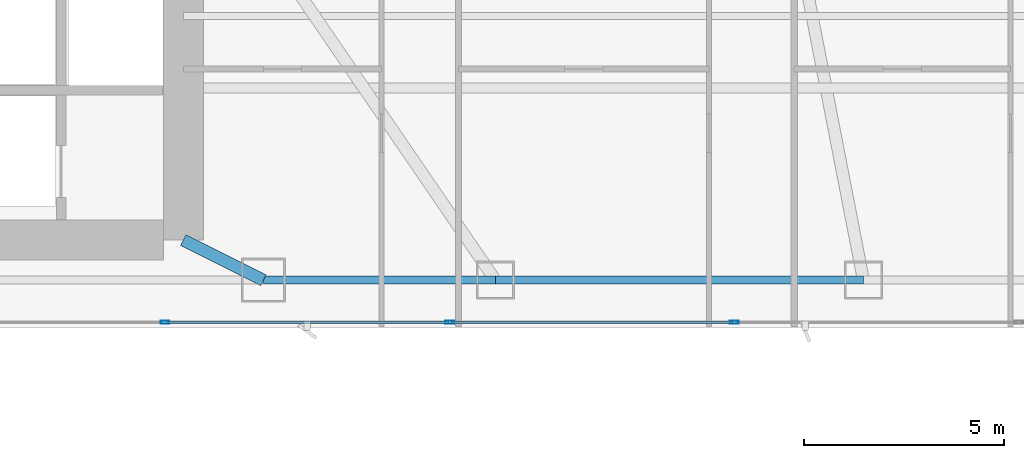
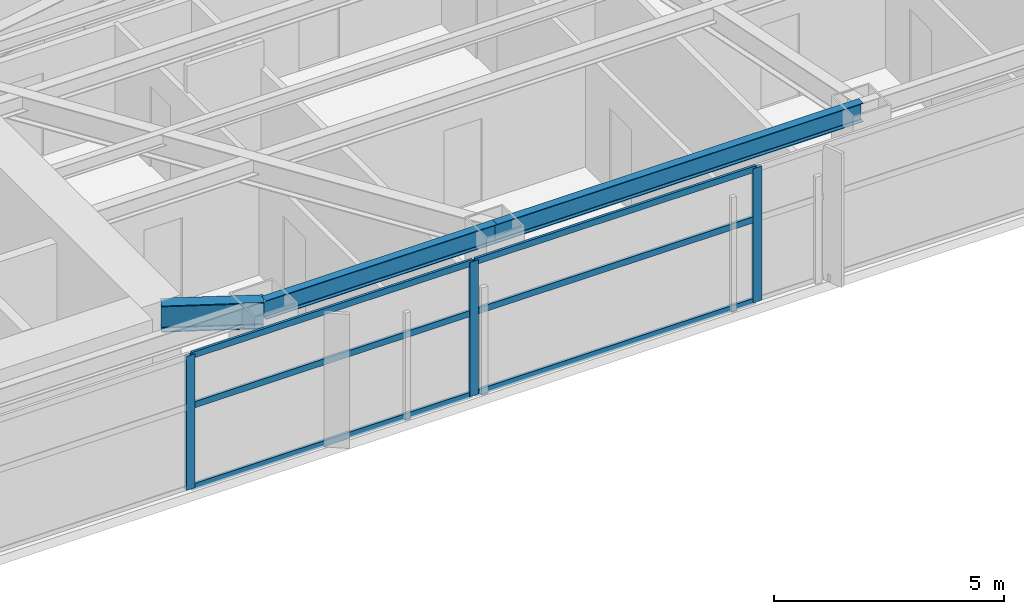
# One storey, part 12 of 30: 9 members, 3 beams, 1 element without a shape of its own.
"""IFC4 building model written with IfcOpenShell, lengths in metres."""

import ifcopenshell
import ifcopenshell.guid

model = None  # the IFC model being written
_history = None  # IfcOwnerHistory: only IFC2X3 demands one
_inside = {}  # id of a spatial element -> (the spatial element, [elements in it])
_under = {}  # id of a project, library or spatial element -> (it, [spatial elements below it])
_declared = {}  # id of a project -> (the project, [libraries it declares])
_typed = {}  # id of a type object -> (the type object, [elements of that type])
_made_of = {}  # id of a material, layer set ... -> (it, [elements and type objects made of it])


def new_model(schema):
    """Start an empty IFC model of exactly this schema.

    Asked for "IFC4X3", IfcOpenShell would pick the latest addendum, in which some entities
    have other attributes; the version numbers below select the first issue.
    IFC2X3 requires an IfcOwnerHistory on every rooted entity: one is made here for all.
    """
    global model, _history
    if schema == "IFC4X3":
        model = ifcopenshell.file(schema_version=(4, 3, 0, 0))
    else:
        model = ifcopenshell.file(schema=schema)
    _inside.clear()
    _under.clear()
    _declared.clear()
    _typed.clear()
    _made_of.clear()
    _history = None
    if model.schema == "IFC2X3":
        org = make("IfcOrganization", Name="unknown")
        user = make(
            "IfcPersonAndOrganization",
            ThePerson=make("IfcPerson", FamilyName="unknown"),
            TheOrganization=org,
        )
        app = make(
            "IfcApplication",
            ApplicationDeveloper=org,
            Version="unknown",
            ApplicationFullName="unknown",
            ApplicationIdentifier="unknown",
        )
        _history = make(
            "IfcOwnerHistory",
            OwningUser=user,
            OwningApplication=app,
            ChangeAction="ADDED",
            CreationDate=0,
        )
    return model


def make(cls, **values):
    """One entity of the class cls with the attributes given. An attribute that is None is left unset."""
    return model.create_entity(
        cls, **{name: value for name, value in values.items() if value is not None}
    )


def rooted(cls, **values):
    """An entity with a GlobalId (a new one), such as an element, a storey or a relation."""
    return make(cls, GlobalId=ifcopenshell.guid.new(), OwnerHistory=_history, **values)


def si_unit(unit_type, name, prefix=None):
    """IfcSIUnit, for example si_unit("LENGTHUNIT", "METRE", prefix="MILLI")."""
    return make("IfcSIUnit", UnitType=unit_type, Prefix=prefix, Name=name)


def assignment(units):
    """IfcUnitAssignment: the units of a project."""
    return None if units is None else make("IfcUnitAssignment", Units=units)


def point(xyz):
    """IfcCartesianPoint."""
    return None if xyz is None else make("IfcCartesianPoint", Coordinates=xyz)


def direction(xyz):
    """IfcDirection."""
    return None if xyz is None else make("IfcDirection", DirectionRatios=xyz)


def frame(location, z_axis=None, x_axis=None):
    """IfcAxis2Placement3D, a coordinate frame: its origin and axes. An axis left out is left unset."""
    return make(
        "IfcAxis2Placement3D",
        Location=point(location),
        Axis=direction(z_axis),
        RefDirection=direction(x_axis),
    )


def frame_2d(location, x_axis=None):
    """IfcAxis2Placement2D, a coordinate frame in the plane: its origin and x axis."""
    return make(
        "IfcAxis2Placement2D", Location=point(location), RefDirection=direction(x_axis)
    )


def origin():
    """The frame at (0, 0, 0) with its axes left unset."""
    return frame((0.0, 0.0, 0.0))


def origin_2d():
    """The frame at (0, 0) in the plane with its x axis left unset."""
    return frame_2d((0.0, 0.0))


def place(relative_to, where):
    """IfcLocalPlacement: puts the frame where relative to a parent placement (None: the world)."""
    return make(
        "IfcLocalPlacement", PlacementRelTo=relative_to, RelativePlacement=where
    )


def context(
    kind, dimensions, precision=None, world=None, true_north=None, identifier=None
):
    """IfcGeometricRepresentationContext, for example the 3D "Model" context."""
    return make(
        "IfcGeometricRepresentationContext",
        ContextIdentifier=identifier,
        ContextType=kind,
        CoordinateSpaceDimension=dimensions,
        Precision=precision,
        WorldCoordinateSystem=world,
        TrueNorth=true_north,
    )


def subcontext(parent, identifier, kind, view, scale=None):
    """IfcGeometricRepresentationSubContext, for example "Body" below "Model"."""
    return make(
        "IfcGeometricRepresentationSubContext",
        ContextIdentifier=identifier,
        ContextType=kind,
        ParentContext=parent,
        TargetScale=scale,
        TargetView=view,
    )


def project(units=None, contexts=None):
    """IfcProject with its units and contexts."""
    return rooted(
        "IfcProject",
        Name="project",
        RepresentationContexts=contexts,
        UnitsInContext=assignment(units),
    )


def spatial(cls, under=None, at=None, **own):
    """A site, building, storey or space (cls), placed at a placement, below another one or the project."""
    s = rooted(cls, ObjectPlacement=at, **own)
    if under is not None:
        _under.setdefault(under.id(), (under, []))[1].append(s)
    return s


def profile(cls, at=None, kind="AREA", **sizes):
    """A parametric profile (cls). Its sizes go by their IFC names, for example OverallWidth=200.0."""
    return make(cls, ProfileType=kind, Position=at, **sizes)


def hollow_rectangle(**sizes):
    """IfcRectangleHollowProfileDef."""
    return profile("IfcRectangleHollowProfileDef", **sizes)


def i_section(**sizes):
    """IfcIShapeProfileDef."""
    return profile("IfcIShapeProfileDef", **sizes)


def extrude(swept, where, along, depth):
    """IfcExtrudedAreaSolid: the profile swept, set in the frame where, extruded along a direction by depth."""
    return make(
        "IfcExtrudedAreaSolid",
        SweptArea=swept,
        Position=where,
        ExtrudedDirection=direction(along),
        Depth=depth,
    )


def shape(context_of_items, identifier, shape_type, items):
    """IfcShapeRepresentation: the items that make up one representation, for example the "Body"."""
    return make(
        "IfcShapeRepresentation",
        ContextOfItems=context_of_items,
        RepresentationIdentifier=identifier,
        RepresentationType=shape_type,
        Items=items,
    )


def material(Name=None, Category=None):
    """IfcMaterial."""
    return make("IfcMaterial", Name=Name, Category=Category)


def layer(
    of_material, thickness, ventilated=None, Name=None, Category=None, Priority=None
):
    """IfcMaterialLayer: one layer of a wall or slab, of a material (None: an air gap)."""
    return make(
        "IfcMaterialLayer",
        Material=of_material,
        LayerThickness=thickness,
        IsVentilated=ventilated,
        Name=Name,
        Category=Category,
        Priority=Priority,
    )


def layer_set(layers, Name=None):
    """IfcMaterialLayerSet."""
    return make("IfcMaterialLayerSet", MaterialLayers=layers, LayerSetName=Name)


def material_profile(
    of_material, cross_section, Name=None, Category=None, Priority=None
):
    """IfcMaterialProfile: a cross section and its material."""
    return make(
        "IfcMaterialProfile",
        Name=Name,
        Material=of_material,
        Profile=cross_section,
        Priority=Priority,
        Category=Category,
    )


def profile_set(profiles, Name=None, composite=None):
    """IfcMaterialProfileSet."""
    return make(
        "IfcMaterialProfileSet",
        Name=Name,
        MaterialProfiles=profiles,
        CompositeProfile=composite,
    )


def made_of(thing, what):
    """Note that an element or type object is made of a material, layer set ...; save() writes the relation."""
    if what is not None:
        _made_of.setdefault(what.id(), (what, []))[1].append(thing)
    return thing


def type_object(cls, material=None, **own):
    """A type object (cls), such as IfcWallType, which elements share."""
    return made_of(rooted(cls, **own), material)


def element(
    cls,
    number,
    at=None,
    inside=None,
    cuts=None,
    type_object=None,
    material=None,
    context=None,
    identifier="Body",
    shape_type=None,
    held_by="IfcProductDefinitionShape",
    body=None,
    shapes=None,
    **own,
):
    """One element of the class cls, such as IfcWall. Its Tag is "e" and its number.

    at: its placement. inside: the storey or other place that contains it. cuts: it is an
    opening in that element (IfcRelVoidsElement). A single representation is given by context,
    identifier, shape_type and body (its items); several are given by shapes. held_by: the class
    of the entity that holds the representations. save() writes the other relations.
    """
    e = rooted(cls, Tag="e%d" % number, ObjectPlacement=at, **own)
    if body is not None:
        shapes = [shape(context, identifier, shape_type, body)]
    if shapes is not None:
        e.Representation = make(held_by, Representations=shapes)
    if inside is not None:
        _inside.setdefault(inside.id(), (inside, []))[1].append(e)
    if cuts is not None:
        rooted(
            "IfcRelVoidsElement", RelatingBuildingElement=cuts, RelatedOpeningElement=e
        )
    if type_object is not None:
        _typed.setdefault(type_object.id(), (type_object, []))[1].append(e)
    return made_of(e, material)


def aggregate(whole, parts):
    """IfcRelAggregates: a whole, such as a stair, and the parts it consists of."""
    return rooted("IfcRelAggregates", RelatingObject=whole, RelatedObjects=parts)


def save(model, path):
    """Write the relations noted so far, then the file.

    IfcRelAggregates (storeys below a building ...), IfcRelContainedInSpatialStructure (elements
    in a storey), IfcRelDefinesByType, IfcRelAssociatesMaterial and IfcRelDeclares: one each for
    every whole, place, type object, material and project.
    """
    for whole, parts in _under.values():
        aggregate(whole, parts)
    for where, things in _inside.values():
        rooted(
            "IfcRelContainedInSpatialStructure",
            RelatedElements=things,
            RelatingStructure=where,
        )
    for kind, things in _typed.values():
        rooted("IfcRelDefinesByType", RelatedObjects=things, RelatingType=kind)
    for what, things in _made_of.values():
        rooted("IfcRelAssociatesMaterial", RelatedObjects=things, RelatingMaterial=what)
    for by, libraries in _declared.values():
        rooted("IfcRelDeclares", RelatingContext=by, RelatedDefinitions=libraries)
    model.write(path)


model = new_model("IFC4")

# Units and contexts
model_context = context("Model", 3, precision=1e-05, world=origin(), true_north=direction((0.0, 1.0)))
body_context = subcontext(model_context, "Body", "Model", "MODEL_VIEW")
ifc_project = project(units=[si_unit("LENGTHUNIT", "METRE"), si_unit("AREAUNIT", "SQUARE_METRE"), si_unit("VOLUMEUNIT", "CUBIC_METRE"), si_unit("PLANEANGLEUNIT", "RADIAN"), si_unit("MASSUNIT", "GRAM", prefix="KILO")], contexts=[model_context])

# Site, building, storey
site_placement = place(None, origin())
site = spatial("IfcSite", under=ifc_project, at=site_placement, CompositionType="ELEMENT")
building_placement = place(site_placement, origin())
building = spatial("IfcBuilding", under=site, at=building_placement, Name="Calvorn Quay Hotel", CompositionType="ELEMENT")
storey_placement = place(building_placement, frame((0.0, 0.0, 27.0)))
storey = spatial("IfcBuildingStorey", under=building, at=storey_placement, Name="L05", CompositionType="ELEMENT", Elevation=27.0)

# Beams
ifc_material_1 = material(Name="Steel Q390GJC", Category="steel")
ifc_material_profile_1 = material_profile(ifc_material_1, i_section(OverallWidth=0.300048828125, OverallDepth=0.699951171875, WebThickness=0.012939453125, FlangeThickness=0.02392578125, FilletRadius=0.02392578125, at=origin_2d()), Name="HN700x300x13x24")
ifc_profile_set_1 = profile_set([ifc_material_profile_1], Name="Steel Q390GJC")
beam_type_1 = type_object("IfcBeamType", Name="BM-GIRD-MAIN", PredefinedType="BEAM", material=ifc_profile_set_1)
beam_1_placement = place(storey_placement, frame((34.39990234375, 3.60009765625, 3.18994140625), z_axis=(-0.894427191, 0.4472135955, 0.0), x_axis=(-0.4472135955, -0.894427191, 0.0)))
element("IfcBeam", 1, at=beam_1_placement, inside=storey, type_object=beam_type_1, Name="Beam BG-L05-S3", PredefinedType="BEAM", context=body_context, shape_type="SweptSolid", body=[
    extrude(i_section(OverallWidth=0.300048828125, OverallDepth=0.699951171875, WebThickness=0.012939453125, FlangeThickness=0.02392578125, FilletRadius=0.02392578125, at=origin_2d()), origin(), (0.0, 0.0, 1.0), 2.236083984375),
])
ifc_material_2 = material(Name="Steel Q355B", Category="steel")
ifc_material_profile_2 = material_profile(ifc_material_2, i_section(OverallWidth=0.199951171875, OverallDepth=0.5, WebThickness=0.010009765625, FlangeThickness=0.01611328125, FilletRadius=0.01611328125, at=origin_2d()), Name="HN500x200x10x16")
ifc_profile_set_2 = profile_set([ifc_material_profile_2], Name="Steel Q355B")
beam_type_2 = type_object("IfcBeamType", Name="BM-SPANDREL-Z1", PredefinedType="SPANDREL", material=ifc_profile_set_2)
beam_2_placement = place(storey_placement, frame((34.39990234375, 3.60009765625, 3.2900390625), z_axis=(1.0, 0.0, 0.0), x_axis=(0.0, 1.0, 0.0)))
element("IfcBeam", 2, at=beam_2_placement, inside=storey, type_object=beam_type_2, Name="Beam BSP-L05-S4", PredefinedType="SPANDREL", context=body_context, shape_type="SweptSolid", body=[
    extrude(i_section(OverallWidth=0.199951171875, OverallDepth=0.5, WebThickness=0.010009765625, FlangeThickness=0.01611328125, FilletRadius=0.01611328125, at=origin_2d()), origin(), (0.0, 0.0, 1.0), 5.800048828125),
])
beam_3_placement = place(storey_placement, frame((40.199951171875, 3.60009765625, 3.2900390625), z_axis=(1.0, 0.0, 0.0), x_axis=(0.0, 1.0, 0.0)))
element("IfcBeam", 3, at=beam_3_placement, inside=storey, type_object=beam_type_2, Name="Beam BSP-L05-S5", PredefinedType="SPANDREL", context=body_context, shape_type="SweptSolid", body=[
    extrude(i_section(OverallWidth=0.199951171875, OverallDepth=0.5, WebThickness=0.010009765625, FlangeThickness=0.01611328125, FilletRadius=0.01611328125, at=origin_2d()), origin(), (0.0, 0.0, 1.0), 9.199951171875),
])

# Curtain wall, members
ifc_material_3 = material(Name="Pale Anodised Aluminium and Low-E Glass", Category="aluminium")
ifc_layer = layer(ifc_material_3, 0.219970703125)
ifc_layer_set = layer_set([ifc_layer], Name="CW-SYS-Z1")
curtain_wall_type = type_object("IfcCurtainWallType", Name="CW-SYS-Z1", PredefinedType="NOTDEFINED", material=ifc_layer_set)
curtain_wall_placement = place(storey_placement, origin())
curtain_wall = element("IfcCurtainWall", 4, at=curtain_wall_placement, inside=storey, type_object=curtain_wall_type, Name="Tower South Waterfront Curtain Wall (L05)", PredefinedType="NOTDEFINED")
ifc_material_4 = material(Name="Pale Anodised Aluminium 6063-T6", Category="aluminium")
ifc_material_profile_3 = material_profile(ifc_material_4, hollow_rectangle(XDim=0.074951171875, YDim=0.219970703125, WallThickness=0.00439453125, at=origin_2d()), Name="ALU-M220x75x4.5")
ifc_profile_set_3 = profile_set([ifc_material_profile_3], Name="Pale Anodised Aluminium 6063-T6")
member_type_1 = type_object("IfcMemberType", Name="CW-SYS-Z1-MUL", PredefinedType="MULLION", material=ifc_profile_set_3)
member_1_placement = place(storey_placement, frame((31.94287109375, 2.550048828125, 0.0), z_axis=(0.0, 0.0, 1.0), x_axis=(0.0, 1.0, 0.0)))
member_1 = element("IfcMember", 5, at=member_1_placement, type_object=member_type_1, Name="CW-L05-S mullion 4", PredefinedType="MULLION", context=body_context, shape_type="SweptSolid", body=[
    extrude(hollow_rectangle(XDim=0.074951171875, YDim=0.219970703125, WallThickness=0.00439453125, at=origin_2d()), origin(), (0.0, 0.0, 1.0), 3.56005859375),
])
member_2_placement = place(storey_placement, frame((39.05712890625, 2.550048828125, 0.0), z_axis=(0.0, 0.0, 1.0), x_axis=(0.0, 1.0, 0.0)))
member_2 = element("IfcMember", 6, at=member_2_placement, type_object=member_type_1, Name="CW-L05-S mullion 5", PredefinedType="MULLION", context=body_context, shape_type="SweptSolid", body=[
    extrude(hollow_rectangle(XDim=0.074951171875, YDim=0.219970703125, WallThickness=0.00439453125, at=origin_2d()), origin(), (0.0, 0.0, 1.0), 3.56005859375),
])
member_3_placement = place(storey_placement, frame((46.17138671875, 2.550048828125, 0.0), z_axis=(0.0, 0.0, 1.0), x_axis=(0.0, 1.0, 0.0)))
member_3 = element("IfcMember", 7, at=member_3_placement, type_object=member_type_1, Name="CW-L05-S mullion 6", PredefinedType="MULLION", context=body_context, shape_type="SweptSolid", body=[
    extrude(hollow_rectangle(XDim=0.074951171875, YDim=0.219970703125, WallThickness=0.00439453125, at=origin_2d()), origin(), (0.0, 0.0, 1.0), 3.56005859375),
])
ifc_material_5 = material(Name="Pale Anodised Aluminium 6063-T6", Category="aluminium")
ifc_material_profile_4 = material_profile(ifc_material_5, hollow_rectangle(XDim=0.06494140625, YDim=0.1650390625, WallThickness=0.00341796875, at=origin_2d()), Name="ALU-T165x65x3.5")
ifc_profile_set_4 = profile_set([ifc_material_profile_4], Name="Pale Anodised Aluminium 6063-T6")
member_type_2 = type_object("IfcMemberType", Name="CW-SYS-Z1-TRN", PredefinedType="USERDEFINED", material=ifc_profile_set_4)
member_4_placement = place(storey_placement, frame((31.972900390625, 2.550048828125, 0.030029296875), z_axis=(1.0, 0.0, 0.0), x_axis=(0.0, 1.0, 0.0)))
member_4 = element("IfcMember", 8, at=member_4_placement, type_object=member_type_2, Name="CW-L05-S transom 4.1", ObjectType="TRANSOM", PredefinedType="USERDEFINED", context=body_context, shape_type="SweptSolid", body=[
    extrude(hollow_rectangle(XDim=0.06494140625, YDim=0.1650390625, WallThickness=0.00341796875, at=origin_2d()), origin(), (0.0, 0.0, 1.0), 7.05419921875),
])
member_5_placement = place(storey_placement, frame((31.972900390625, 2.550048828125, 2.199951171875), z_axis=(1.0, 0.0, 0.0), x_axis=(0.0, 1.0, 0.0)))
member_5 = element("IfcMember", 9, at=member_5_placement, type_object=member_type_2, Name="CW-L05-S transom 4.2", ObjectType="TRANSOM", PredefinedType="USERDEFINED", context=body_context, shape_type="SweptSolid", body=[
    extrude(hollow_rectangle(XDim=0.06494140625, YDim=0.1650390625, WallThickness=0.00341796875, at=origin_2d()), origin(), (0.0, 0.0, 1.0), 7.05419921875),
])
member_6_placement = place(storey_placement, frame((31.972900390625, 2.550048828125, 3.530029296875), z_axis=(1.0, 0.0, 0.0), x_axis=(0.0, 1.0, 0.0)))
member_6 = element("IfcMember", 10, at=member_6_placement, type_object=member_type_2, Name="CW-L05-S transom 4.3", ObjectType="TRANSOM", PredefinedType="USERDEFINED", context=body_context, shape_type="SweptSolid", body=[
    extrude(hollow_rectangle(XDim=0.06494140625, YDim=0.1650390625, WallThickness=0.00341796875, at=origin_2d()), origin(), (0.0, 0.0, 1.0), 7.05419921875),
])
member_7_placement = place(storey_placement, frame((39.087158203125, 2.550048828125, 0.030029296875), z_axis=(1.0, 0.0, 0.0), x_axis=(0.0, 1.0, 0.0)))
member_7 = element("IfcMember", 11, at=member_7_placement, type_object=member_type_2, Name="CW-L05-S transom 5.1", ObjectType="TRANSOM", PredefinedType="USERDEFINED", context=body_context, shape_type="SweptSolid", body=[
    extrude(hollow_rectangle(XDim=0.06494140625, YDim=0.1650390625, WallThickness=0.00341796875, at=origin_2d()), origin(), (0.0, 0.0, 1.0), 7.05419921875),
])
member_8_placement = place(storey_placement, frame((39.087158203125, 2.550048828125, 2.199951171875), z_axis=(1.0, 0.0, 0.0), x_axis=(0.0, 1.0, 0.0)))
member_8 = element("IfcMember", 12, at=member_8_placement, type_object=member_type_2, Name="CW-L05-S transom 5.2", ObjectType="TRANSOM", PredefinedType="USERDEFINED", context=body_context, shape_type="SweptSolid", body=[
    extrude(hollow_rectangle(XDim=0.06494140625, YDim=0.1650390625, WallThickness=0.00341796875, at=origin_2d()), origin(), (0.0, 0.0, 1.0), 7.05419921875),
])
member_9_placement = place(storey_placement, frame((39.087158203125, 2.550048828125, 3.530029296875), z_axis=(1.0, 0.0, 0.0), x_axis=(0.0, 1.0, 0.0)))
member_9 = element("IfcMember", 13, at=member_9_placement, type_object=member_type_2, Name="CW-L05-S transom 5.3", ObjectType="TRANSOM", PredefinedType="USERDEFINED", context=body_context, shape_type="SweptSolid", body=[
    extrude(hollow_rectangle(XDim=0.06494140625, YDim=0.1650390625, WallThickness=0.00341796875, at=origin_2d()), origin(), (0.0, 0.0, 1.0), 7.05419921875),
])
aggregate(curtain_wall, [member_1, member_2, member_3, member_4, member_5, member_6, member_7, member_8, member_9])

save(model, "model.ifc")
